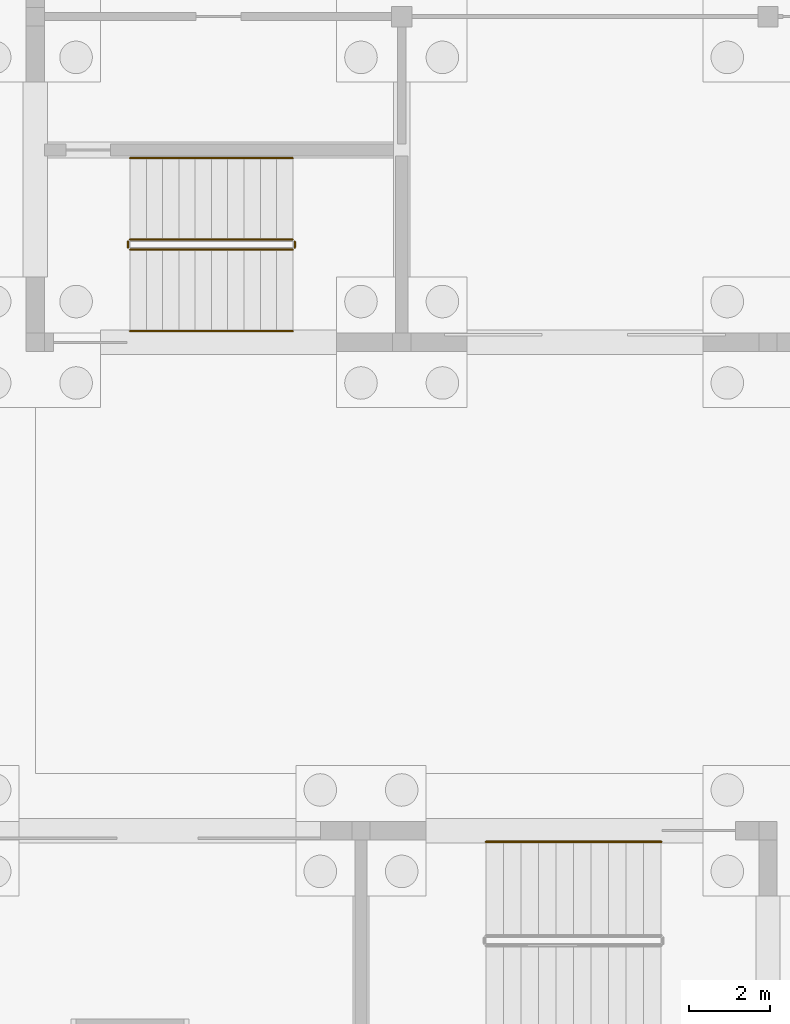
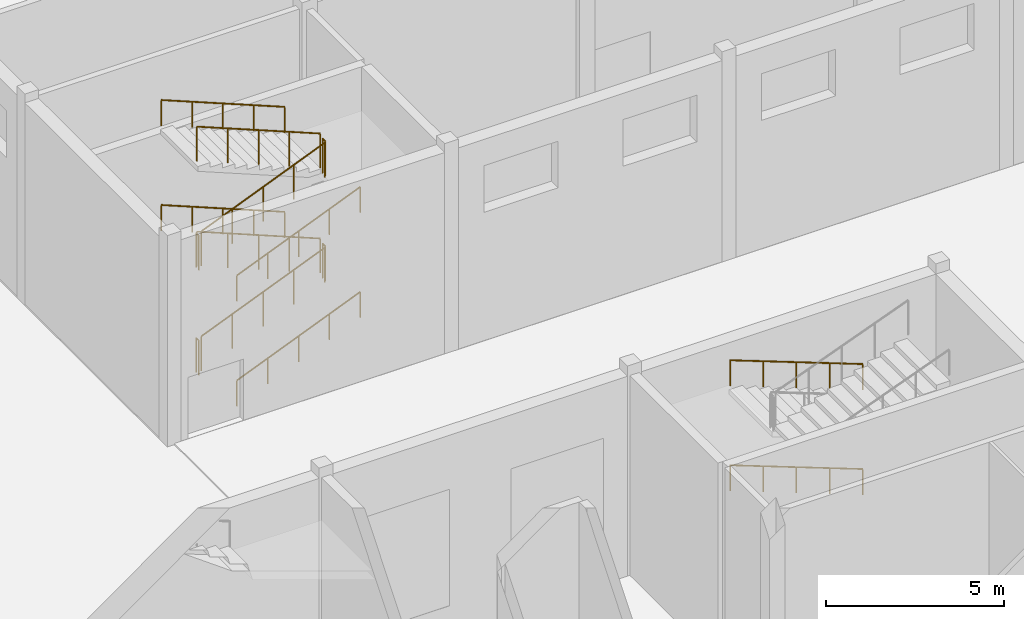
# One storey, part 208 of 239: 14 railings.
"""IFC4 building model written with IfcOpenShell, lengths in metres."""

from ifc_helpers import new_model, si_unit, direction, frame, origin, origin_2d, place, context, subcontext, project, spatial, circle, extrude, material, type_object, element, save


model = new_model("IFC4")

# Units and contexts
model_context = context("Model", 3, precision=1e-05, world=origin(), true_north=direction((0.0, 1.0)))
body_context = subcontext(model_context, "Body", "Model", "MODEL_VIEW")
ifc_project = project(units=[si_unit("LENGTHUNIT", "METRE"), si_unit("AREAUNIT", "SQUARE_METRE"), si_unit("VOLUMEUNIT", "CUBIC_METRE"), si_unit("PLANEANGLEUNIT", "RADIAN"), si_unit("MASSUNIT", "GRAM", prefix="KILO")], contexts=[model_context])

# Site, building, storey
site_placement = place(None, origin())
site = spatial("IfcSite", under=ifc_project, at=site_placement, CompositionType="ELEMENT")
building_placement = place(site_placement, origin())
building = spatial("IfcBuilding", under=site, at=building_placement, Name="Okhra Congress Centre", CompositionType="ELEMENT")
storey_placement = place(building_placement, origin())
storey = spatial("IfcBuildingStorey", under=building, at=storey_placement, Name="L00", CompositionType="ELEMENT", Elevation=0.0)

# Railings
ifc_material_1 = material(Name="Painted steel tube handrail on wall brackets", Category="steel")
railing_type_1 = type_object("IfcRailingType", Name="Steel handrail 900", PredefinedType="HANDRAIL", material=ifc_material_1)
railing_1_placement = place(storey_placement, frame((30.324951171875, 96.27490234375, 0.16357421875)))
element("IfcRailing", 1, at=railing_1_placement, inside=storey, type_object=railing_type_1, Name="L00 A stair handrail 1", PredefinedType="HANDRAIL", context=body_context, shape_type="SweptSolid", body=[
    extrude(circle(Radius=0.02392578125, at=origin_2d()), frame((0.0, 0.0, 0.8759765625), z_axis=(0.925537957481, 0.0, 0.378654841858), x_axis=(0.0, 1.0, 0.0)), (0.0, 0.0, 1.0), 4.32177734375),
    extrude(circle(Radius=0.02099609375, at=origin_2d()), origin(), (0.0, 0.0, 1.0), 0.851806640625),
    extrude(circle(Radius=0.02099609375, at=origin_2d()), frame((1.0, 0.0, 0.4091796875)), (0.0, 0.0, 1.0), 0.851806640625),
    extrude(circle(Radius=0.02099609375, at=origin_2d()), frame((2.0, 0.0, 0.818359375)), (0.0, 0.0, 1.0), 0.851806640625),
    extrude(circle(Radius=0.02099609375, at=origin_2d()), frame((3.0, 0.0, 1.227294921875)), (0.0, 0.0, 1.0), 0.851806640625),
    extrude(circle(Radius=0.02099609375, at=origin_2d()), frame((4.0, 0.0, 1.636474609375)), (0.0, 0.0, 1.0), 0.851806640625),
])
railing_2_placement = place(storey_placement, frame((34.324951171875, 100.52490234375, 1.963623046875)))
element("IfcRailing", 2, at=railing_2_placement, inside=storey, type_object=railing_type_1, Name="L00 A stair handrail 2", PredefinedType="HANDRAIL", context=body_context, shape_type="SweptSolid", body=[
    extrude(circle(Radius=0.02392578125, at=origin_2d()), frame((0.0, 0.0, 0.8759765625), z_axis=(-0.925537957481, 0.0, 0.378654841858), x_axis=(0.0, -1.0, 0.0)), (0.0, 0.0, 1.0), 4.32177734375),
    extrude(circle(Radius=0.02099609375, at=origin_2d()), origin(), (0.0, 0.0, 1.0), 0.851806640625),
    extrude(circle(Radius=0.02099609375, at=origin_2d()), frame((-1.0, 0.0, 0.4091796875)), (0.0, 0.0, 1.0), 0.851806640625),
    extrude(circle(Radius=0.02099609375, at=origin_2d()), frame((-2.0, 0.0, 0.818359375)), (0.0, 0.0, 1.0), 0.851806640625),
    extrude(circle(Radius=0.02099609375, at=origin_2d()), frame((-3.0, 0.0, 1.227294921875)), (0.0, 0.0, 1.0), 0.851806640625),
    extrude(circle(Radius=0.02099609375, at=origin_2d()), frame((-4.0, 0.0, 1.636474609375)), (0.0, 0.0, 1.0), 0.851806640625),
])
railing_3_placement = place(storey_placement, frame((30.324951171875, 96.27490234375, 3.763671875)))
element("IfcRailing", 3, at=railing_3_placement, inside=storey, type_object=railing_type_1, Name="L00 A stair handrail 3", PredefinedType="HANDRAIL", context=body_context, shape_type="SweptSolid", body=[
    extrude(circle(Radius=0.02392578125, at=origin_2d()), frame((0.0, 0.0, 0.8759765625), z_axis=(0.925557754216, 0.0, 0.378606449509), x_axis=(0.0, 1.0, 0.0)), (0.0, 0.0, 1.0), 4.32177734375),
    extrude(circle(Radius=0.02099609375, at=origin_2d()), origin(), (0.0, 0.0, 1.0), 0.851806640625),
    extrude(circle(Radius=0.02099609375, at=origin_2d()), frame((1.0, 0.0, 0.4091796875)), (0.0, 0.0, 1.0), 0.851806640625),
    extrude(circle(Radius=0.02099609375, at=origin_2d()), frame((2.0, 0.0, 0.818115234375)), (0.0, 0.0, 1.0), 0.851806640625),
    extrude(circle(Radius=0.02099609375, at=origin_2d()), frame((3.0, 0.0, 1.22705078125)), (0.0, 0.0, 1.0), 0.851806640625),
    extrude(circle(Radius=0.02099609375, at=origin_2d()), frame((4.0, 0.0, 1.63623046875)), (0.0, 0.0, 1.0), 0.851806640625),
])
railing_4_placement = place(storey_placement, frame((34.324951171875, 100.52490234375, 5.563720703125)))
element("IfcRailing", 4, at=railing_4_placement, inside=storey, type_object=railing_type_1, Name="L00 A stair handrail 4", PredefinedType="HANDRAIL", context=body_context, shape_type="SweptSolid", body=[
    extrude(circle(Radius=0.02392578125, at=origin_2d()), frame((0.0, 0.0, 0.8759765625), z_axis=(-0.925557754216, 0.0, 0.378606449509), x_axis=(0.0, -1.0, 0.0)), (0.0, 0.0, 1.0), 4.32177734375),
    extrude(circle(Radius=0.02099609375, at=origin_2d()), origin(), (0.0, 0.0, 1.0), 0.851806640625),
    extrude(circle(Radius=0.02099609375, at=origin_2d()), frame((-1.0, 0.0, 0.4091796875)), (0.0, 0.0, 1.0), 0.851806640625),
    extrude(circle(Radius=0.02099609375, at=origin_2d()), frame((-2.0, 0.0, 0.818115234375)), (0.0, 0.0, 1.0), 0.851806640625),
    extrude(circle(Radius=0.02099609375, at=origin_2d()), frame((-3.0, 0.0, 1.22705078125)), (0.0, 0.0, 1.0), 0.851806640625),
    extrude(circle(Radius=0.02099609375, at=origin_2d()), frame((-4.0, 0.0, 1.63623046875)), (0.0, 0.0, 1.0), 0.851806640625),
])
railing_5_placement = place(storey_placement, frame((43.375, 83.72509765625, 0.16357421875)))
element("IfcRailing", 5, at=railing_5_placement, inside=storey, type_object=railing_type_1, Name="L00 R2 stair handrail 1", PredefinedType="HANDRAIL", context=body_context, shape_type="SweptSolid", body=[
    extrude(circle(Radius=0.02392578125, at=origin_2d()), frame((0.0, 0.0, 0.8759765625), z_axis=(-0.934606208977, 0.0, 0.355684177526), x_axis=(0.0, -1.0, 0.0)), (0.0, 0.0, 1.0), 4.600830078125),
    extrude(circle(Radius=0.02099609375, at=origin_2d()), origin(), (0.0, 0.0, 1.0), 0.851806640625),
    extrude(circle(Radius=0.02099609375, at=origin_2d()), frame((-1.074951171875, 0.0, 0.4091796875)), (0.0, 0.0, 1.0), 0.851806640625),
    extrude(circle(Radius=0.02099609375, at=origin_2d()), frame((-2.14990234375, 0.0, 0.818359375)), (0.0, 0.0, 1.0), 0.851806640625),
    extrude(circle(Radius=0.02099609375, at=origin_2d()), frame((-3.22509765625, 0.0, 1.227294921875)), (0.0, 0.0, 1.0), 0.851806640625),
    extrude(circle(Radius=0.02099609375, at=origin_2d()), frame((-4.300048828125, 0.0, 1.636474609375)), (0.0, 0.0, 1.0), 0.851806640625),
])
railing_6_placement = place(storey_placement, frame((43.375, 83.72509765625, 3.763671875)))
element("IfcRailing", 6, at=railing_6_placement, inside=storey, type_object=railing_type_1, Name="L00 R2 stair handrail 3", PredefinedType="HANDRAIL", context=body_context, shape_type="SweptSolid", body=[
    extrude(circle(Radius=0.02392578125, at=origin_2d()), frame((0.0, 0.0, 0.8759765625), z_axis=(-0.934623847752, 0.0, 0.355637825903), x_axis=(0.0, -1.0, 0.0)), (0.0, 0.0, 1.0), 4.600830078125),
    extrude(circle(Radius=0.02099609375, at=origin_2d()), origin(), (0.0, 0.0, 1.0), 0.851806640625),
    extrude(circle(Radius=0.02099609375, at=origin_2d()), frame((-1.074951171875, 0.0, 0.4091796875)), (0.0, 0.0, 1.0), 0.851806640625),
    extrude(circle(Radius=0.02099609375, at=origin_2d()), frame((-2.14990234375, 0.0, 0.818115234375)), (0.0, 0.0, 1.0), 0.851806640625),
    extrude(circle(Radius=0.02099609375, at=origin_2d()), frame((-3.22509765625, 0.0, 1.22705078125)), (0.0, 0.0, 1.0), 0.851806640625),
    extrude(circle(Radius=0.02099609375, at=origin_2d()), frame((-4.300048828125, 0.0, 1.63623046875)), (0.0, 0.0, 1.0), 0.851806640625),
])
ifc_material_2 = material(Name="Painted steel tube guard with vertical steel balusters", Category="steel")
railing_type_2 = type_object("IfcRailingType", Name="Steel stair guard 1200", PredefinedType="GUARDRAIL", material=ifc_material_2)
railing_7_placement = place(storey_placement, frame((30.324951171875, 98.27490234375, 0.16357421875)))
element("IfcRailing", 7, at=railing_7_placement, inside=storey, type_object=railing_type_2, Name="L00 A stair guard 1", PredefinedType="GUARDRAIL", context=body_context, shape_type="SweptSolid", body=[
    extrude(circle(Radius=0.02392578125, at=origin_2d()), frame((0.0, 0.0, 1.17578125), z_axis=(0.925537957481, 0.0, 0.378654841858), x_axis=(0.0, 1.0, 0.0)), (0.0, 0.0, 1.0), 4.32177734375),
    extrude(circle(Radius=0.02099609375, at=origin_2d()), origin(), (0.0, 0.0, 1.0), 1.15185546875),
    extrude(circle(Radius=0.02099609375, at=origin_2d()), frame((1.0, 0.0, 0.4091796875)), (0.0, 0.0, 1.0), 1.15185546875),
    extrude(circle(Radius=0.02099609375, at=origin_2d()), frame((2.0, 0.0, 0.818359375)), (0.0, 0.0, 1.0), 1.15185546875),
    extrude(circle(Radius=0.02099609375, at=origin_2d()), frame((3.0, 0.0, 1.227294921875)), (0.0, 0.0, 1.0), 1.15185546875),
    extrude(circle(Radius=0.02099609375, at=origin_2d()), frame((4.0, 0.0, 1.636474609375)), (0.0, 0.0, 1.0), 1.15185546875),
])
railing_8_placement = place(storey_placement, frame((34.375, 98.324951171875, 1.800048828125)))
element("IfcRailing", 8, at=railing_8_placement, inside=storey, type_object=railing_type_2, Name="L00 A stair guard 2", PredefinedType="GUARDRAIL", context=body_context, shape_type="SweptSolid", body=[
    extrude(circle(Radius=0.02392578125, at=origin_2d()), frame((0.0, 0.0, 1.17578125), z_axis=(0.0, 1.0, 0.0), x_axis=(-1.0, 0.0, 0.0)), (0.0, 0.0, 1.0), 0.150146484375),
    extrude(circle(Radius=0.02099609375, at=origin_2d()), origin(), (0.0, 0.0, 1.0), 1.15185546875),
    extrude(circle(Radius=0.02099609375, at=origin_2d()), frame((0.0, 0.150146484375, 0.0)), (0.0, 0.0, 1.0), 1.15185546875),
])
railing_9_placement = place(storey_placement, frame((34.324951171875, 98.52490234375, 1.963623046875)))
element("IfcRailing", 9, at=railing_9_placement, inside=storey, type_object=railing_type_2, Name="L00 A stair guard 3", PredefinedType="GUARDRAIL", context=body_context, shape_type="SweptSolid", body=[
    extrude(circle(Radius=0.02392578125, at=origin_2d()), frame((0.0, 0.0, 1.17578125), z_axis=(-0.925537957481, 0.0, 0.378654841858), x_axis=(0.0, -1.0, 0.0)), (0.0, 0.0, 1.0), 4.32177734375),
    extrude(circle(Radius=0.02099609375, at=origin_2d()), origin(), (0.0, 0.0, 1.0), 1.15185546875),
    extrude(circle(Radius=0.02099609375, at=origin_2d()), frame((-1.0, 0.0, 0.4091796875)), (0.0, 0.0, 1.0), 1.15185546875),
    extrude(circle(Radius=0.02099609375, at=origin_2d()), frame((-2.0, 0.0, 0.818359375)), (0.0, 0.0, 1.0), 1.15185546875),
    extrude(circle(Radius=0.02099609375, at=origin_2d()), frame((-3.0, 0.0, 1.227294921875)), (0.0, 0.0, 1.0), 1.15185546875),
    extrude(circle(Radius=0.02099609375, at=origin_2d()), frame((-4.0, 0.0, 1.636474609375)), (0.0, 0.0, 1.0), 1.15185546875),
])
railing_10_placement = place(storey_placement, frame((30.27490234375, 98.324951171875, 3.60009765625)))
element("IfcRailing", 10, at=railing_10_placement, inside=storey, type_object=railing_type_2, Name="L00 A stair guard 4", PredefinedType="GUARDRAIL", context=body_context, shape_type="SweptSolid", body=[
    extrude(circle(Radius=0.02392578125, at=origin_2d()), frame((0.0, 0.0, 1.17578125), z_axis=(0.0, 1.0, 0.0), x_axis=(-1.0, 0.0, 0.0)), (0.0, 0.0, 1.0), 0.150146484375),
    extrude(circle(Radius=0.02099609375, at=origin_2d()), origin(), (0.0, 0.0, 1.0), 1.15185546875),
    extrude(circle(Radius=0.02099609375, at=origin_2d()), frame((0.0, 0.150146484375, 0.0)), (0.0, 0.0, 1.0), 1.15185546875),
])
railing_11_placement = place(storey_placement, frame((30.324951171875, 98.27490234375, 3.763671875)))
element("IfcRailing", 11, at=railing_11_placement, inside=storey, type_object=railing_type_2, Name="L00 A stair guard 5", PredefinedType="GUARDRAIL", context=body_context, shape_type="SweptSolid", body=[
    extrude(circle(Radius=0.02392578125, at=origin_2d()), frame((0.0, 0.0, 1.17578125), z_axis=(0.925557754216, 0.0, 0.378606449509), x_axis=(0.0, 1.0, 0.0)), (0.0, 0.0, 1.0), 4.32177734375),
    extrude(circle(Radius=0.02099609375, at=origin_2d()), origin(), (0.0, 0.0, 1.0), 1.15185546875),
    extrude(circle(Radius=0.02099609375, at=origin_2d()), frame((1.0, 0.0, 0.4091796875)), (0.0, 0.0, 1.0), 1.15185546875),
    extrude(circle(Radius=0.02099609375, at=origin_2d()), frame((2.0, 0.0, 0.818115234375)), (0.0, 0.0, 1.0), 1.15185546875),
    extrude(circle(Radius=0.02099609375, at=origin_2d()), frame((3.0, 0.0, 1.22705078125)), (0.0, 0.0, 1.0), 1.15185546875),
    extrude(circle(Radius=0.02099609375, at=origin_2d()), frame((4.0, 0.0, 1.63623046875)), (0.0, 0.0, 1.0), 1.15185546875),
])
railing_12_placement = place(storey_placement, frame((34.375, 98.324951171875, 5.39990234375)))
element("IfcRailing", 12, at=railing_12_placement, inside=storey, type_object=railing_type_2, Name="L00 A stair guard 6", PredefinedType="GUARDRAIL", context=body_context, shape_type="SweptSolid", body=[
    extrude(circle(Radius=0.02392578125, at=origin_2d()), frame((0.0, 0.0, 1.17578125), z_axis=(0.0, 1.0, 0.0), x_axis=(-1.0, 0.0, 0.0)), (0.0, 0.0, 1.0), 0.150146484375),
    extrude(circle(Radius=0.02099609375, at=origin_2d()), origin(), (0.0, 0.0, 1.0), 1.15185546875),
    extrude(circle(Radius=0.02099609375, at=origin_2d()), frame((0.0, 0.150146484375, 0.0)), (0.0, 0.0, 1.0), 1.15185546875),
])
railing_13_placement = place(storey_placement, frame((34.324951171875, 98.52490234375, 5.563720703125)))
element("IfcRailing", 13, at=railing_13_placement, inside=storey, type_object=railing_type_2, Name="L00 A stair guard 7", PredefinedType="GUARDRAIL", context=body_context, shape_type="SweptSolid", body=[
    extrude(circle(Radius=0.02392578125, at=origin_2d()), frame((0.0, 0.0, 1.17578125), z_axis=(-0.925557754216, 0.0, 0.378606449509), x_axis=(0.0, -1.0, 0.0)), (0.0, 0.0, 1.0), 4.32177734375),
    extrude(circle(Radius=0.02099609375, at=origin_2d()), origin(), (0.0, 0.0, 1.0), 1.15185546875),
    extrude(circle(Radius=0.02099609375, at=origin_2d()), frame((-1.0, 0.0, 0.4091796875)), (0.0, 0.0, 1.0), 1.15185546875),
    extrude(circle(Radius=0.02099609375, at=origin_2d()), frame((-2.0, 0.0, 0.818115234375)), (0.0, 0.0, 1.0), 1.15185546875),
    extrude(circle(Radius=0.02099609375, at=origin_2d()), frame((-3.0, 0.0, 1.22705078125)), (0.0, 0.0, 1.0), 1.15185546875),
    extrude(circle(Radius=0.02099609375, at=origin_2d()), frame((-4.0, 0.0, 1.63623046875)), (0.0, 0.0, 1.0), 1.15185546875),
])
railing_14_placement = place(storey_placement, frame((30.27490234375, 98.324951171875, 0.0)))
element("IfcRailing", 14, at=railing_14_placement, inside=storey, type_object=railing_type_2, Name="L00 A stair guard 8", PredefinedType="GUARDRAIL", context=body_context, shape_type="SweptSolid", body=[
    extrude(circle(Radius=0.02392578125, at=origin_2d()), frame((0.0, 0.0, 1.17578125), z_axis=(0.0, 1.0, 0.0), x_axis=(-1.0, 0.0, 0.0)), (0.0, 0.0, 1.0), 0.150146484375),
    extrude(circle(Radius=0.02099609375, at=origin_2d()), origin(), (0.0, 0.0, 1.0), 1.15185546875),
    extrude(circle(Radius=0.02099609375, at=origin_2d()), frame((0.0, 0.150146484375, 0.0)), (0.0, 0.0, 1.0), 1.15185546875),
])

save(model, "model.ifc")
